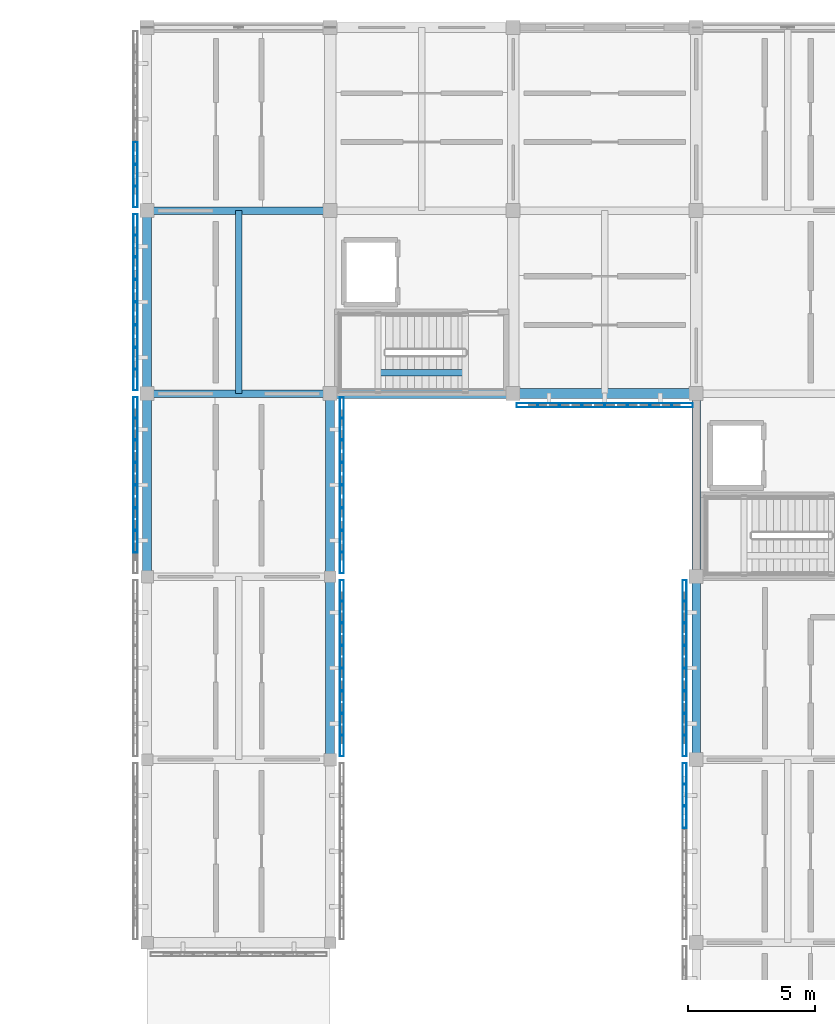
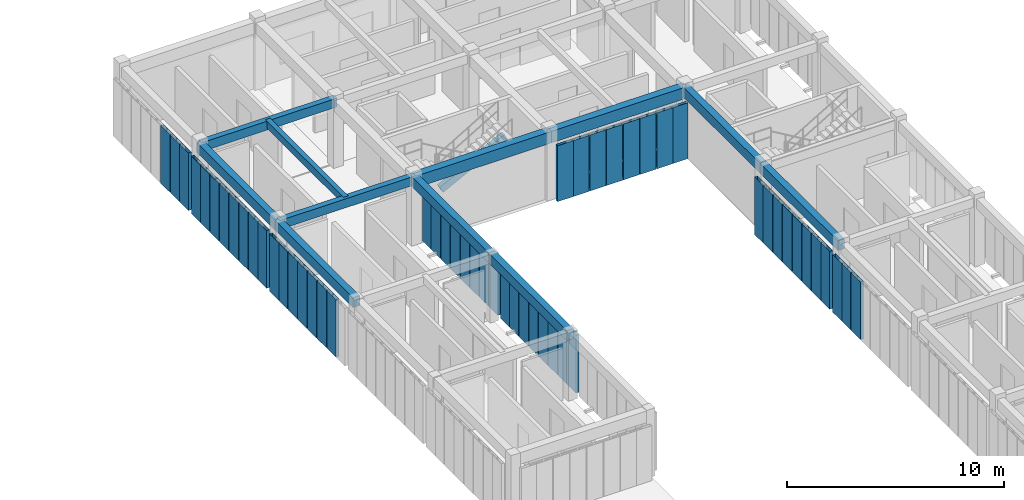
# One storey, part 11 of 67: 53 members, 12 beams, 8 elements without a shape of their own.
"""IFC4 building model written with IfcOpenShell, lengths in metres."""

from ifc_helpers import new_model, si_unit, direction, frame, origin, origin_2d, place, context, subcontext, project, spatial, rectangle, hollow_rectangle, extrude, material, material_profile, profile_set, type_object, element, aggregate, save


model = new_model("IFC4")

# Units and contexts
model_context = context("Model", 3, precision=1e-05, world=origin(), true_north=direction((0.0, 1.0)))
body_context = subcontext(model_context, "Body", "Model", "MODEL_VIEW")
ifc_project = project(units=[si_unit("LENGTHUNIT", "METRE"), si_unit("AREAUNIT", "SQUARE_METRE"), si_unit("VOLUMEUNIT", "CUBIC_METRE"), si_unit("PLANEANGLEUNIT", "RADIAN"), si_unit("MASSUNIT", "GRAM", prefix="KILO")], contexts=[model_context])

# Site, building, storey
site_placement = place(None, origin())
site = spatial("IfcSite", under=ifc_project, at=site_placement, CompositionType="ELEMENT")
building_placement = place(site_placement, origin())
building = spatial("IfcBuilding", under=site, at=building_placement, Name="Aldebral Square Health Centre", CompositionType="ELEMENT")
storey_placement = place(building_placement, frame((0.0, 0.0, 13.5)))
storey = spatial("IfcBuildingStorey", under=building, at=storey_placement, Name="L03", CompositionType="ELEMENT", Elevation=13.5)

# Beams
ifc_material_1 = material(Name="Concrete C40/50", Category="concrete")
ifc_material_profile_1 = material_profile(ifc_material_1, rectangle(XDim=0.39990234375, YDim=0.64990234375, at=origin_2d()), Name="RC 400x650")
ifc_profile_set_1 = profile_set([ifc_material_profile_1], Name="Concrete C40/50")
beam_type_1 = type_object("IfcBeamType", Name="BM-B1", PredefinedType="BEAM", material=ifc_profile_set_1)
for number, where, z_axis, x_axis, name in (
    (1, (144.0, 100.800048828125, 3.465087890625), (1.0, 0.0, 0.0), (0.0, 1.0, 0.0), "L03 X-beam 21-22/G15"),
    (2, (151.199951171875, 100.800048828125, 3.465087890625), (1.0, 0.0, 0.0), (0.0, 1.0, 0.0), "L03 X-beam 22-23/G15"),
):
    element("IfcBeam", number, at=place(storey_placement, frame(where, z_axis=z_axis, x_axis=x_axis)), inside=storey, type_object=beam_type_1, Name=name, PredefinedType="BEAM", context=body_context, shape_type="SweptSolid", body=[
        extrude(rectangle(XDim=0.39990234375, YDim=0.64990234375, at=origin_2d()), origin(), (0.0, 0.0, 1.0), 7.199951171875),
    ])
ifc_material_profile_2 = material_profile(ifc_material_1, rectangle(XDim=0.35009765625, YDim=0.550048828125, at=origin_2d()), Name="RC 350x550")
ifc_profile_set_2 = profile_set([ifc_material_profile_2], Name="Concrete C40/50")
beam_type_2 = type_object("IfcBeamType", Name="BM-B3", PredefinedType="BEAM", material=ifc_profile_set_2)
for number, where, z_axis, x_axis, name in (
    (3, (136.800048828125, 93.60009765625, 3.514892578125), (0.0, 1.0, 0.0), (-1.0, 0.0, 0.0), "L03 Y-beam G20/14-15"),
    (4, (136.800048828125, 100.800048828125, 3.514892578125), (0.0, 1.0, 0.0), (-1.0, 0.0, 0.0), "L03 Y-beam G20/15-16"),
):
    element("IfcBeam", number, at=place(storey_placement, frame(where, z_axis=z_axis, x_axis=x_axis)), inside=storey, type_object=beam_type_2, Name=name, PredefinedType="BEAM", context=body_context, shape_type="SweptSolid", body=[
        extrude(rectangle(XDim=0.35009765625, YDim=0.550048828125, at=origin_2d()), origin(), (0.0, 0.0, 1.0), 7.199951171875),
    ])
beam_1_placement = place(storey_placement, frame((144.0, 86.39990234375, 3.514892578125), z_axis=(0.0, 1.0, 0.0), x_axis=(-1.0, 0.0, 0.0)))
element("IfcBeam", 5, at=beam_1_placement, inside=storey, type_object=beam_type_2, Name="L03 Y-beam G21/13-14", PredefinedType="BEAM", context=body_context, shape_type="SweptSolid", body=[
    extrude(rectangle(XDim=0.35009765625, YDim=0.550048828125, at=origin_2d()), origin(), (0.0, 0.0, 1.0), 7.2001953125),
])
beam_2_placement = place(storey_placement, frame((144.0, 93.60009765625, 3.514892578125), z_axis=(0.0, 1.0, 0.0), x_axis=(-1.0, 0.0, 0.0)))
element("IfcBeam", 6, at=beam_2_placement, inside=storey, type_object=beam_type_2, Name="L03 Y-beam G21/14-15", PredefinedType="BEAM", context=body_context, shape_type="SweptSolid", body=[
    extrude(rectangle(XDim=0.35009765625, YDim=0.550048828125, at=origin_2d()), origin(), (0.0, 0.0, 1.0), 7.199951171875),
])
beam_3_placement = place(storey_placement, frame((158.39990234375, 86.39990234375, 3.514892578125), z_axis=(0.0, 1.0, 0.0), x_axis=(-1.0, 0.0, 0.0)))
element("IfcBeam", 7, at=beam_3_placement, inside=storey, type_object=beam_type_2, Name="L03 Y-beam G23/13-14", PredefinedType="BEAM", context=body_context, shape_type="SweptSolid", body=[
    extrude(rectangle(XDim=0.35009765625, YDim=0.550048828125, at=origin_2d()), origin(), (0.0, 0.0, 1.0), 7.2001953125),
])
beam_4_placement = place(storey_placement, frame((158.39990234375, 93.60009765625, 3.514892578125), z_axis=(0.0, 1.0, 0.0), x_axis=(-1.0, 0.0, 0.0)))
element("IfcBeam", 8, at=beam_4_placement, inside=storey, type_object=beam_type_2, Name="L03 Y-beam G23/14-15", PredefinedType="BEAM", context=body_context, shape_type="SweptSolid", body=[
    extrude(rectangle(XDim=0.35009765625, YDim=0.550048828125, at=origin_2d()), origin(), (0.0, 0.0, 1.0), 7.199951171875),
])
ifc_material_profile_3 = material_profile(ifc_material_1, rectangle(XDim=0.300048828125, YDim=0.5, at=origin_2d()), Name="RC 300x500")
ifc_profile_set_3 = profile_set([ifc_material_profile_3], Name="Concrete C40/50")
beam_type_3 = type_object("IfcBeamType", Name="BM-B4", PredefinedType="BEAM", material=ifc_profile_set_3)
for number, where, z_axis, x_axis, name in (
    (9, (136.800048828125, 100.800048828125, 3.5400390625), (1.0, 0.0, 0.0), (0.0, 1.0, 0.0), "L03 X-beam 20-21/G15"),
    (10, (136.800048828125, 108.0, 3.5400390625), (1.0, 0.0, 0.0), (0.0, 1.0, 0.0), "L03 X-beam 20-21/G16"),
):
    element("IfcBeam", number, at=place(storey_placement, frame(where, z_axis=z_axis, x_axis=x_axis)), inside=storey, type_object=beam_type_3, Name=name, PredefinedType="BEAM", context=body_context, shape_type="SweptSolid", body=[
        extrude(rectangle(XDim=0.300048828125, YDim=0.5, at=origin_2d()), origin(), (0.0, 0.0, 1.0), 7.199951171875),
    ])
ifc_material_profile_4 = material_profile(ifc_material_1, rectangle(XDim=0.25, YDim=0.39990234375, at=origin_2d()), Name="RC 250x400")
ifc_profile_set_4 = profile_set([ifc_material_profile_4], Name="Concrete C40/50")
beam_type_4 = type_object("IfcBeamType", Name="BM-B6", PredefinedType="JOIST", material=ifc_profile_set_4)
beam_5_placement = place(storey_placement, frame((140.39990234375, 100.800048828125, 3.590087890625), z_axis=(0.0, 1.0, 0.0), x_axis=(-1.0, 0.0, 0.0)))
element("IfcBeam", 11, at=beam_5_placement, inside=storey, type_object=beam_type_4, Name="L03 secondary rib 20.15", PredefinedType="JOIST", context=body_context, shape_type="SweptSolid", body=[
    extrude(rectangle(XDim=0.25, YDim=0.39990234375, at=origin_2d()), origin(), (0.0, 0.0, 1.0), 7.199951171875),
])
beam_6_placement = place(storey_placement, frame((145.8798828125, 101.6201171875, 1.824951171875), z_axis=(0.889718835693, 0.0, 0.456508919314), x_axis=(0.0, 1.0, 0.0)))
element("IfcBeam", 12, at=beam_6_placement, inside=storey, type_object=beam_type_4, Name="L03 WC-C4 flight stringer beam", PredefinedType="JOIST", context=body_context, shape_type="SweptSolid", body=[
    extrude(rectangle(XDim=0.25, YDim=0.39990234375, at=origin_2d()), origin(), (0.0, 0.0, 1.0), 3.86669921875),
])

# Curtain wall, members
ifc_material_2 = material(Name="Aluminium and low-E solar glass", Category="aluminium")
curtain_wall_type = type_object("IfcCurtainWallType", Name="CW-FIN-SYS", PredefinedType="USERDEFINED", material=ifc_material_2)
curtain_wall_1_placement = place(storey_placement, origin())
curtain_wall_1 = element("IfcCurtainWall", 13, at=curtain_wall_1_placement, inside=storey, type_object=curtain_wall_type, Name="L03 V5 finned curtain wall L03-V5-19-12-E", ObjectType="SOLAR_CURTAIN_WALL", PredefinedType="USERDEFINED")
ifc_material_3 = material(Name="Sienna-terracotta clad aluminium fin", Category="masonry")
ifc_material_profile_5 = material_profile(ifc_material_3, hollow_rectangle(XDim=0.159912109375, YDim=0.85009765625, WallThickness=0.006103515625, at=origin_2d()), Name="FIN 160x850x6")
ifc_profile_set_5 = profile_set([ifc_material_profile_5], Name="Sienna-terracotta clad aluminium fin")
member_type = type_object("IfcMemberType", Name="CWM-FIN", PredefinedType="MULLION", material=ifc_profile_set_5)
member_1_placement = place(storey_placement, frame((144.4599609375, 86.9599609375, 0.0), z_axis=(0.0, 0.0, 1.0), x_axis=(-1.0, 0.0, 0.0)))
member_1 = element("IfcMember", 14, at=member_1_placement, type_object=member_type, Name="CW1 mullion 1", PredefinedType="MULLION", context=body_context, shape_type="SweptSolid", body=[
    extrude(hollow_rectangle(XDim=0.159912109375, YDim=0.85009765625, WallThickness=0.006103515625, at=origin_2d()), origin(), (0.0, 0.0, 1.0), 3.239990234375),
])
member_2_placement = place(storey_placement, frame((144.4599609375, 87.771484375, 0.0), z_axis=(0.0, 0.0, 1.0), x_axis=(-1.0, 0.0, 0.0)))
member_2 = element("IfcMember", 15, at=member_2_placement, type_object=member_type, Name="CW1 mullion 2", PredefinedType="MULLION", context=body_context, shape_type="SweptSolid", body=[
    extrude(hollow_rectangle(XDim=0.159912109375, YDim=0.85009765625, WallThickness=0.006103515625, at=origin_2d()), origin(), (0.0, 0.0, 1.0), 3.239990234375),
])
member_3_placement = place(storey_placement, frame((144.4599609375, 88.662841796875, 0.0), z_axis=(0.0, 0.0, 1.0), x_axis=(-1.0, 0.0, 0.0)))
member_3 = element("IfcMember", 16, at=member_3_placement, type_object=member_type, Name="CW1 mullion 3", PredefinedType="MULLION", context=body_context, shape_type="SweptSolid", body=[
    extrude(hollow_rectangle(XDim=0.159912109375, YDim=0.85009765625, WallThickness=0.006103515625, at=origin_2d()), origin(), (0.0, 0.0, 1.0), 3.239990234375),
])
member_4_placement = place(storey_placement, frame((144.4599609375, 89.55419921875, 0.0), z_axis=(0.0, 0.0, 1.0), x_axis=(-1.0, 0.0, 0.0)))
member_4 = element("IfcMember", 17, at=member_4_placement, type_object=member_type, Name="CW1 mullion 4", PredefinedType="MULLION", context=body_context, shape_type="SweptSolid", body=[
    extrude(hollow_rectangle(XDim=0.159912109375, YDim=0.85009765625, WallThickness=0.006103515625, at=origin_2d()), origin(), (0.0, 0.0, 1.0), 3.239990234375),
])
member_5_placement = place(storey_placement, frame((144.4599609375, 90.44580078125, 0.0), z_axis=(0.0, 0.0, 1.0), x_axis=(-1.0, 0.0, 0.0)))
member_5 = element("IfcMember", 18, at=member_5_placement, type_object=member_type, Name="CW1 mullion 5", PredefinedType="MULLION", context=body_context, shape_type="SweptSolid", body=[
    extrude(hollow_rectangle(XDim=0.159912109375, YDim=0.85009765625, WallThickness=0.006103515625, at=origin_2d()), origin(), (0.0, 0.0, 1.0), 3.239990234375),
])
member_6_placement = place(storey_placement, frame((144.4599609375, 91.337158203125, 0.0), z_axis=(0.0, 0.0, 1.0), x_axis=(-1.0, 0.0, 0.0)))
member_6 = element("IfcMember", 19, at=member_6_placement, type_object=member_type, Name="CW1 mullion 6", PredefinedType="MULLION", context=body_context, shape_type="SweptSolid", body=[
    extrude(hollow_rectangle(XDim=0.159912109375, YDim=0.85009765625, WallThickness=0.006103515625, at=origin_2d()), origin(), (0.0, 0.0, 1.0), 3.239990234375),
])
member_7_placement = place(storey_placement, frame((144.4599609375, 92.228515625, 0.0), z_axis=(0.0, 0.0, 1.0), x_axis=(-1.0, 0.0, 0.0)))
member_7 = element("IfcMember", 20, at=member_7_placement, type_object=member_type, Name="CW1 mullion 7", PredefinedType="MULLION", context=body_context, shape_type="SweptSolid", body=[
    extrude(hollow_rectangle(XDim=0.159912109375, YDim=0.85009765625, WallThickness=0.006103515625, at=origin_2d()), origin(), (0.0, 0.0, 1.0), 3.239990234375),
])
member_8_placement = place(storey_placement, frame((144.4599609375, 93.0400390625, 0.0), z_axis=(0.0, 0.0, 1.0), x_axis=(-1.0, 0.0, 0.0)))
member_8 = element("IfcMember", 21, at=member_8_placement, type_object=member_type, Name="CW1 mullion 8", PredefinedType="MULLION", context=body_context, shape_type="SweptSolid", body=[
    extrude(hollow_rectangle(XDim=0.159912109375, YDim=0.85009765625, WallThickness=0.006103515625, at=origin_2d()), origin(), (0.0, 0.0, 1.0), 3.239990234375),
])
aggregate(curtain_wall_1, [member_1, member_2, member_3, member_4, member_5, member_6, member_7, member_8])

curtain_wall_2_placement = place(storey_placement, origin())
curtain_wall_2 = element("IfcCurtainWall", 22, at=curtain_wall_2_placement, inside=storey, type_object=curtain_wall_type, Name="L03 V5 finned curtain wall L03-V5-19-13-W", ObjectType="SOLAR_CURTAIN_WALL", PredefinedType="USERDEFINED")
member_9_placement = place(storey_placement, frame((136.340087890625, 100.239990234375, 0.0), z_axis=(0.0, 0.0, 1.0), x_axis=(1.0, 0.0, 0.0)))
member_9 = element("IfcMember", 23, at=member_9_placement, type_object=member_type, Name="CW1 mullion 1", PredefinedType="MULLION", context=body_context, shape_type="SweptSolid", body=[
    extrude(hollow_rectangle(XDim=0.159912109375, YDim=0.85009765625, WallThickness=0.006103515625, at=origin_2d()), origin(), (0.0, 0.0, 1.0), 3.239990234375),
])
member_10_placement = place(storey_placement, frame((136.340087890625, 99.428466796875, 0.0), z_axis=(0.0, 0.0, 1.0), x_axis=(1.0, 0.0, 0.0)))
member_10 = element("IfcMember", 24, at=member_10_placement, type_object=member_type, Name="CW1 mullion 2", PredefinedType="MULLION", context=body_context, shape_type="SweptSolid", body=[
    extrude(hollow_rectangle(XDim=0.159912109375, YDim=0.85009765625, WallThickness=0.006103515625, at=origin_2d()), origin(), (0.0, 0.0, 1.0), 3.239990234375),
])
member_11_placement = place(storey_placement, frame((136.340087890625, 98.537109375, 0.0), z_axis=(0.0, 0.0, 1.0), x_axis=(1.0, 0.0, 0.0)))
member_11 = element("IfcMember", 25, at=member_11_placement, type_object=member_type, Name="CW1 mullion 3", PredefinedType="MULLION", context=body_context, shape_type="SweptSolid", body=[
    extrude(hollow_rectangle(XDim=0.159912109375, YDim=0.85009765625, WallThickness=0.006103515625, at=origin_2d()), origin(), (0.0, 0.0, 1.0), 3.239990234375),
])
member_12_placement = place(storey_placement, frame((136.340087890625, 97.645751953125, 0.0), z_axis=(0.0, 0.0, 1.0), x_axis=(1.0, 0.0, 0.0)))
member_12 = element("IfcMember", 26, at=member_12_placement, type_object=member_type, Name="CW1 mullion 4", PredefinedType="MULLION", context=body_context, shape_type="SweptSolid", body=[
    extrude(hollow_rectangle(XDim=0.159912109375, YDim=0.85009765625, WallThickness=0.006103515625, at=origin_2d()), origin(), (0.0, 0.0, 1.0), 3.239990234375),
])
member_13_placement = place(storey_placement, frame((136.340087890625, 96.75439453125, 0.0), z_axis=(0.0, 0.0, 1.0), x_axis=(1.0, 0.0, 0.0)))
member_13 = element("IfcMember", 27, at=member_13_placement, type_object=member_type, Name="CW1 mullion 5", PredefinedType="MULLION", context=body_context, shape_type="SweptSolid", body=[
    extrude(hollow_rectangle(XDim=0.159912109375, YDim=0.85009765625, WallThickness=0.006103515625, at=origin_2d()), origin(), (0.0, 0.0, 1.0), 3.239990234375),
])
member_14_placement = place(storey_placement, frame((136.340087890625, 95.86279296875, 0.0), z_axis=(0.0, 0.0, 1.0), x_axis=(1.0, 0.0, 0.0)))
member_14 = element("IfcMember", 28, at=member_14_placement, type_object=member_type, Name="CW1 mullion 6", PredefinedType="MULLION", context=body_context, shape_type="SweptSolid", body=[
    extrude(hollow_rectangle(XDim=0.159912109375, YDim=0.85009765625, WallThickness=0.006103515625, at=origin_2d()), origin(), (0.0, 0.0, 1.0), 3.239990234375),
])
member_15_placement = place(storey_placement, frame((136.340087890625, 94.971435546875, 0.0), z_axis=(0.0, 0.0, 1.0), x_axis=(1.0, 0.0, 0.0)))
member_15 = element("IfcMember", 29, at=member_15_placement, type_object=member_type, Name="CW1 mullion 7", PredefinedType="MULLION", context=body_context, shape_type="SweptSolid", body=[
    extrude(hollow_rectangle(XDim=0.159912109375, YDim=0.85009765625, WallThickness=0.006103515625, at=origin_2d()), origin(), (0.0, 0.0, 1.0), 3.239990234375),
])
aggregate(curtain_wall_2, [member_9, member_10, member_11, member_12, member_13, member_14, member_15])

curtain_wall_3_placement = place(storey_placement, origin())
curtain_wall_3 = element("IfcCurtainWall", 30, at=curtain_wall_3_placement, inside=storey, type_object=curtain_wall_type, Name="L03 V5 finned curtain wall L03-V5-19-13-E", ObjectType="SOLAR_CURTAIN_WALL", PredefinedType="USERDEFINED")
member_16_placement = place(storey_placement, frame((144.4599609375, 94.159912109375, 0.0), z_axis=(0.0, 0.0, 1.0), x_axis=(-1.0, 0.0, 0.0)))
member_16 = element("IfcMember", 31, at=member_16_placement, type_object=member_type, Name="CW1 mullion 1", PredefinedType="MULLION", context=body_context, shape_type="SweptSolid", body=[
    extrude(hollow_rectangle(XDim=0.159912109375, YDim=0.85009765625, WallThickness=0.006103515625, at=origin_2d()), origin(), (0.0, 0.0, 1.0), 3.239990234375),
])
member_17_placement = place(storey_placement, frame((144.4599609375, 94.971435546875, 0.0), z_axis=(0.0, 0.0, 1.0), x_axis=(-1.0, 0.0, 0.0)))
member_17 = element("IfcMember", 32, at=member_17_placement, type_object=member_type, Name="CW1 mullion 2", PredefinedType="MULLION", context=body_context, shape_type="SweptSolid", body=[
    extrude(hollow_rectangle(XDim=0.159912109375, YDim=0.85009765625, WallThickness=0.006103515625, at=origin_2d()), origin(), (0.0, 0.0, 1.0), 3.239990234375),
])
member_18_placement = place(storey_placement, frame((144.4599609375, 95.86279296875, 0.0), z_axis=(0.0, 0.0, 1.0), x_axis=(-1.0, 0.0, 0.0)))
member_18 = element("IfcMember", 33, at=member_18_placement, type_object=member_type, Name="CW1 mullion 3", PredefinedType="MULLION", context=body_context, shape_type="SweptSolid", body=[
    extrude(hollow_rectangle(XDim=0.159912109375, YDim=0.85009765625, WallThickness=0.006103515625, at=origin_2d()), origin(), (0.0, 0.0, 1.0), 3.239990234375),
])
member_19_placement = place(storey_placement, frame((144.4599609375, 96.75439453125, 0.0), z_axis=(0.0, 0.0, 1.0), x_axis=(-1.0, 0.0, 0.0)))
member_19 = element("IfcMember", 34, at=member_19_placement, type_object=member_type, Name="CW1 mullion 4", PredefinedType="MULLION", context=body_context, shape_type="SweptSolid", body=[
    extrude(hollow_rectangle(XDim=0.159912109375, YDim=0.85009765625, WallThickness=0.006103515625, at=origin_2d()), origin(), (0.0, 0.0, 1.0), 3.239990234375),
])
member_20_placement = place(storey_placement, frame((144.4599609375, 97.645751953125, 0.0), z_axis=(0.0, 0.0, 1.0), x_axis=(-1.0, 0.0, 0.0)))
member_20 = element("IfcMember", 35, at=member_20_placement, type_object=member_type, Name="CW1 mullion 5", PredefinedType="MULLION", context=body_context, shape_type="SweptSolid", body=[
    extrude(hollow_rectangle(XDim=0.159912109375, YDim=0.85009765625, WallThickness=0.006103515625, at=origin_2d()), origin(), (0.0, 0.0, 1.0), 3.239990234375),
])
member_21_placement = place(storey_placement, frame((144.4599609375, 98.537109375, 0.0), z_axis=(0.0, 0.0, 1.0), x_axis=(-1.0, 0.0, 0.0)))
member_21 = element("IfcMember", 36, at=member_21_placement, type_object=member_type, Name="CW1 mullion 6", PredefinedType="MULLION", context=body_context, shape_type="SweptSolid", body=[
    extrude(hollow_rectangle(XDim=0.159912109375, YDim=0.85009765625, WallThickness=0.006103515625, at=origin_2d()), origin(), (0.0, 0.0, 1.0), 3.239990234375),
])
member_22_placement = place(storey_placement, frame((144.4599609375, 99.428466796875, 0.0), z_axis=(0.0, 0.0, 1.0), x_axis=(-1.0, 0.0, 0.0)))
member_22 = element("IfcMember", 37, at=member_22_placement, type_object=member_type, Name="CW1 mullion 7", PredefinedType="MULLION", context=body_context, shape_type="SweptSolid", body=[
    extrude(hollow_rectangle(XDim=0.159912109375, YDim=0.85009765625, WallThickness=0.006103515625, at=origin_2d()), origin(), (0.0, 0.0, 1.0), 3.239990234375),
])
member_23_placement = place(storey_placement, frame((144.4599609375, 100.239990234375, 0.0), z_axis=(0.0, 0.0, 1.0), x_axis=(-1.0, 0.0, 0.0)))
member_23 = element("IfcMember", 38, at=member_23_placement, type_object=member_type, Name="CW1 mullion 8", PredefinedType="MULLION", context=body_context, shape_type="SweptSolid", body=[
    extrude(hollow_rectangle(XDim=0.159912109375, YDim=0.85009765625, WallThickness=0.006103515625, at=origin_2d()), origin(), (0.0, 0.0, 1.0), 3.239990234375),
])
aggregate(curtain_wall_3, [member_16, member_17, member_18, member_19, member_20, member_21, member_22, member_23])

curtain_wall_4_placement = place(storey_placement, origin())
curtain_wall_4 = element("IfcCurtainWall", 39, at=curtain_wall_4_placement, inside=storey, type_object=curtain_wall_type, Name="L03 V5 finned curtain wall L03-V5-19-14-W", ObjectType="SOLAR_CURTAIN_WALL", PredefinedType="USERDEFINED")
member_24_placement = place(storey_placement, frame((136.340087890625, 107.43994140625, 0.0), z_axis=(0.0, 0.0, 1.0), x_axis=(1.0, 0.0, 0.0)))
member_24 = element("IfcMember", 40, at=member_24_placement, type_object=member_type, Name="CW1 mullion 1", PredefinedType="MULLION", context=body_context, shape_type="SweptSolid", body=[
    extrude(hollow_rectangle(XDim=0.159912109375, YDim=0.85009765625, WallThickness=0.006103515625, at=origin_2d()), origin(), (0.0, 0.0, 1.0), 3.239990234375),
])
member_25_placement = place(storey_placement, frame((136.340087890625, 106.628662109375, 0.0), z_axis=(0.0, 0.0, 1.0), x_axis=(1.0, 0.0, 0.0)))
member_25 = element("IfcMember", 41, at=member_25_placement, type_object=member_type, Name="CW1 mullion 2", PredefinedType="MULLION", context=body_context, shape_type="SweptSolid", body=[
    extrude(hollow_rectangle(XDim=0.159912109375, YDim=0.85009765625, WallThickness=0.006103515625, at=origin_2d()), origin(), (0.0, 0.0, 1.0), 3.239990234375),
])
member_26_placement = place(storey_placement, frame((136.340087890625, 105.737060546875, 0.0), z_axis=(0.0, 0.0, 1.0), x_axis=(1.0, 0.0, 0.0)))
member_26 = element("IfcMember", 42, at=member_26_placement, type_object=member_type, Name="CW1 mullion 3", PredefinedType="MULLION", context=body_context, shape_type="SweptSolid", body=[
    extrude(hollow_rectangle(XDim=0.159912109375, YDim=0.85009765625, WallThickness=0.006103515625, at=origin_2d()), origin(), (0.0, 0.0, 1.0), 3.239990234375),
])
member_27_placement = place(storey_placement, frame((136.340087890625, 104.845703125, 0.0), z_axis=(0.0, 0.0, 1.0), x_axis=(1.0, 0.0, 0.0)))
member_27 = element("IfcMember", 43, at=member_27_placement, type_object=member_type, Name="CW1 mullion 4", PredefinedType="MULLION", context=body_context, shape_type="SweptSolid", body=[
    extrude(hollow_rectangle(XDim=0.159912109375, YDim=0.85009765625, WallThickness=0.006103515625, at=origin_2d()), origin(), (0.0, 0.0, 1.0), 3.239990234375),
])
member_28_placement = place(storey_placement, frame((136.340087890625, 103.954345703125, 0.0), z_axis=(0.0, 0.0, 1.0), x_axis=(1.0, 0.0, 0.0)))
member_28 = element("IfcMember", 44, at=member_28_placement, type_object=member_type, Name="CW1 mullion 5", PredefinedType="MULLION", context=body_context, shape_type="SweptSolid", body=[
    extrude(hollow_rectangle(XDim=0.159912109375, YDim=0.85009765625, WallThickness=0.006103515625, at=origin_2d()), origin(), (0.0, 0.0, 1.0), 3.239990234375),
])
member_29_placement = place(storey_placement, frame((136.340087890625, 103.062744140625, 0.0), z_axis=(0.0, 0.0, 1.0), x_axis=(1.0, 0.0, 0.0)))
member_29 = element("IfcMember", 45, at=member_29_placement, type_object=member_type, Name="CW1 mullion 6", PredefinedType="MULLION", context=body_context, shape_type="SweptSolid", body=[
    extrude(hollow_rectangle(XDim=0.159912109375, YDim=0.85009765625, WallThickness=0.006103515625, at=origin_2d()), origin(), (0.0, 0.0, 1.0), 3.239990234375),
])
member_30_placement = place(storey_placement, frame((136.340087890625, 102.17138671875, 0.0), z_axis=(0.0, 0.0, 1.0), x_axis=(1.0, 0.0, 0.0)))
member_30 = element("IfcMember", 46, at=member_30_placement, type_object=member_type, Name="CW1 mullion 7", PredefinedType="MULLION", context=body_context, shape_type="SweptSolid", body=[
    extrude(hollow_rectangle(XDim=0.159912109375, YDim=0.85009765625, WallThickness=0.006103515625, at=origin_2d()), origin(), (0.0, 0.0, 1.0), 3.239990234375),
])
member_31_placement = place(storey_placement, frame((136.340087890625, 101.360107421875, 0.0), z_axis=(0.0, 0.0, 1.0), x_axis=(1.0, 0.0, 0.0)))
member_31 = element("IfcMember", 47, at=member_31_placement, type_object=member_type, Name="CW1 mullion 8", PredefinedType="MULLION", context=body_context, shape_type="SweptSolid", body=[
    extrude(hollow_rectangle(XDim=0.159912109375, YDim=0.85009765625, WallThickness=0.006103515625, at=origin_2d()), origin(), (0.0, 0.0, 1.0), 3.239990234375),
])
aggregate(curtain_wall_4, [member_24, member_25, member_26, member_27, member_28, member_29, member_30, member_31])

curtain_wall_5_placement = place(storey_placement, origin())
curtain_wall_5 = element("IfcCurtainWall", 48, at=curtain_wall_5_placement, inside=storey, type_object=curtain_wall_type, Name="L03 V5 finned curtain wall L03-V5-19-15-W", ObjectType="SOLAR_CURTAIN_WALL", PredefinedType="USERDEFINED")
member_32_placement = place(storey_placement, frame((136.340087890625, 110.262939453125, 0.0), z_axis=(0.0, 0.0, 1.0), x_axis=(1.0, 0.0, 0.0)))
member_32 = element("IfcMember", 49, at=member_32_placement, type_object=member_type, Name="CW1 mullion 6", PredefinedType="MULLION", context=body_context, shape_type="SweptSolid", body=[
    extrude(hollow_rectangle(XDim=0.159912109375, YDim=0.85009765625, WallThickness=0.006103515625, at=origin_2d()), origin(), (0.0, 0.0, 1.0), 3.239990234375),
])
member_33_placement = place(storey_placement, frame((136.340087890625, 109.371337890625, 0.0), z_axis=(0.0, 0.0, 1.0), x_axis=(1.0, 0.0, 0.0)))
member_33 = element("IfcMember", 50, at=member_33_placement, type_object=member_type, Name="CW1 mullion 7", PredefinedType="MULLION", context=body_context, shape_type="SweptSolid", body=[
    extrude(hollow_rectangle(XDim=0.159912109375, YDim=0.85009765625, WallThickness=0.006103515625, at=origin_2d()), origin(), (0.0, 0.0, 1.0), 3.239990234375),
])
member_34_placement = place(storey_placement, frame((136.340087890625, 108.56005859375, 0.0), z_axis=(0.0, 0.0, 1.0), x_axis=(1.0, 0.0, 0.0)))
member_34 = element("IfcMember", 51, at=member_34_placement, type_object=member_type, Name="CW1 mullion 8", PredefinedType="MULLION", context=body_context, shape_type="SweptSolid", body=[
    extrude(hollow_rectangle(XDim=0.159912109375, YDim=0.85009765625, WallThickness=0.006103515625, at=origin_2d()), origin(), (0.0, 0.0, 1.0), 3.239990234375),
])
aggregate(curtain_wall_5, [member_32, member_33, member_34])

curtain_wall_6_placement = place(storey_placement, origin())
curtain_wall_6 = element("IfcCurtainWall", 52, at=curtain_wall_6_placement, inside=storey, type_object=curtain_wall_type, Name="L03 V5 finned curtain wall L03-V5-21-14-S", ObjectType="SOLAR_CURTAIN_WALL", PredefinedType="USERDEFINED")
member_35_placement = place(storey_placement, frame((151.760009765625, 100.340087890625, 0.0), z_axis=(0.0, 0.0, 1.0), x_axis=(0.0, 1.0, 0.0)))
member_35 = element("IfcMember", 53, at=member_35_placement, type_object=member_type, Name="CW1 mullion 1", PredefinedType="MULLION", context=body_context, shape_type="SweptSolid", body=[
    extrude(hollow_rectangle(XDim=0.159912109375, YDim=0.85009765625, WallThickness=0.006103515625, at=origin_2d()), origin(), (0.0, 0.0, 1.0), 3.139892578125),
])
member_36_placement = place(storey_placement, frame((152.571533203125, 100.340087890625, 0.0), z_axis=(0.0, 0.0, 1.0), x_axis=(0.0, 1.0, 0.0)))
member_36 = element("IfcMember", 54, at=member_36_placement, type_object=member_type, Name="CW1 mullion 2", PredefinedType="MULLION", context=body_context, shape_type="SweptSolid", body=[
    extrude(hollow_rectangle(XDim=0.159912109375, YDim=0.85009765625, WallThickness=0.006103515625, at=origin_2d()), origin(), (0.0, 0.0, 1.0), 3.139892578125),
])
member_37_placement = place(storey_placement, frame((153.462890625, 100.340087890625, 0.0), z_axis=(0.0, 0.0, 1.0), x_axis=(0.0, 1.0, 0.0)))
member_37 = element("IfcMember", 55, at=member_37_placement, type_object=member_type, Name="CW1 mullion 3", PredefinedType="MULLION", context=body_context, shape_type="SweptSolid", body=[
    extrude(hollow_rectangle(XDim=0.159912109375, YDim=0.85009765625, WallThickness=0.006103515625, at=origin_2d()), origin(), (0.0, 0.0, 1.0), 3.139892578125),
])
member_38_placement = place(storey_placement, frame((154.354248046875, 100.340087890625, 0.0), z_axis=(0.0, 0.0, 1.0), x_axis=(0.0, 1.0, 0.0)))
member_38 = element("IfcMember", 56, at=member_38_placement, type_object=member_type, Name="CW1 mullion 4", PredefinedType="MULLION", context=body_context, shape_type="SweptSolid", body=[
    extrude(hollow_rectangle(XDim=0.159912109375, YDim=0.85009765625, WallThickness=0.006103515625, at=origin_2d()), origin(), (0.0, 0.0, 1.0), 3.139892578125),
])
member_39_placement = place(storey_placement, frame((155.24560546875, 100.340087890625, 0.0), z_axis=(0.0, 0.0, 1.0), x_axis=(0.0, 1.0, 0.0)))
member_39 = element("IfcMember", 57, at=member_39_placement, type_object=member_type, Name="CW1 mullion 5", PredefinedType="MULLION", context=body_context, shape_type="SweptSolid", body=[
    extrude(hollow_rectangle(XDim=0.159912109375, YDim=0.85009765625, WallThickness=0.006103515625, at=origin_2d()), origin(), (0.0, 0.0, 1.0), 3.139892578125),
])
member_40_placement = place(storey_placement, frame((156.13720703125, 100.340087890625, 0.0), z_axis=(0.0, 0.0, 1.0), x_axis=(0.0, 1.0, 0.0)))
member_40 = element("IfcMember", 58, at=member_40_placement, type_object=member_type, Name="CW1 mullion 6", PredefinedType="MULLION", context=body_context, shape_type="SweptSolid", body=[
    extrude(hollow_rectangle(XDim=0.159912109375, YDim=0.85009765625, WallThickness=0.006103515625, at=origin_2d()), origin(), (0.0, 0.0, 1.0), 3.139892578125),
])
member_41_placement = place(storey_placement, frame((157.028564453125, 100.340087890625, 0.0), z_axis=(0.0, 0.0, 1.0), x_axis=(0.0, 1.0, 0.0)))
member_41 = element("IfcMember", 59, at=member_41_placement, type_object=member_type, Name="CW1 mullion 7", PredefinedType="MULLION", context=body_context, shape_type="SweptSolid", body=[
    extrude(hollow_rectangle(XDim=0.159912109375, YDim=0.85009765625, WallThickness=0.006103515625, at=origin_2d()), origin(), (0.0, 0.0, 1.0), 3.139892578125),
])
member_42_placement = place(storey_placement, frame((157.840087890625, 100.340087890625, 0.0), z_axis=(0.0, 0.0, 1.0), x_axis=(0.0, 1.0, 0.0)))
member_42 = element("IfcMember", 60, at=member_42_placement, type_object=member_type, Name="CW1 mullion 8", PredefinedType="MULLION", context=body_context, shape_type="SweptSolid", body=[
    extrude(hollow_rectangle(XDim=0.159912109375, YDim=0.85009765625, WallThickness=0.006103515625, at=origin_2d()), origin(), (0.0, 0.0, 1.0), 3.139892578125),
])
aggregate(curtain_wall_6, [member_35, member_36, member_37, member_38, member_39, member_40, member_41, member_42])

curtain_wall_7_placement = place(storey_placement, origin())
curtain_wall_7 = element("IfcCurtainWall", 61, at=curtain_wall_7_placement, inside=storey, type_object=curtain_wall_type, Name="L03 V5 finned curtain wall L03-V5-22-11-W", ObjectType="SOLAR_CURTAIN_WALL", PredefinedType="USERDEFINED")
member_43_placement = place(storey_placement, frame((157.93994140625, 85.840087890625, 0.0), z_axis=(0.0, 0.0, 1.0), x_axis=(1.0, 0.0, 0.0)))
member_43 = element("IfcMember", 62, at=member_43_placement, type_object=member_type, Name="CW1 mullion 1", PredefinedType="MULLION", context=body_context, shape_type="SweptSolid", body=[
    extrude(hollow_rectangle(XDim=0.159912109375, YDim=0.85009765625, WallThickness=0.006103515625, at=origin_2d()), origin(), (0.0, 0.0, 1.0), 3.239990234375),
])
member_44_placement = place(storey_placement, frame((157.93994140625, 85.028564453125, 0.0), z_axis=(0.0, 0.0, 1.0), x_axis=(1.0, 0.0, 0.0)))
member_44 = element("IfcMember", 63, at=member_44_placement, type_object=member_type, Name="CW1 mullion 2", PredefinedType="MULLION", context=body_context, shape_type="SweptSolid", body=[
    extrude(hollow_rectangle(XDim=0.159912109375, YDim=0.85009765625, WallThickness=0.006103515625, at=origin_2d()), origin(), (0.0, 0.0, 1.0), 3.239990234375),
])
member_45_placement = place(storey_placement, frame((157.93994140625, 84.13720703125, 0.0), z_axis=(0.0, 0.0, 1.0), x_axis=(1.0, 0.0, 0.0)))
member_45 = element("IfcMember", 64, at=member_45_placement, type_object=member_type, Name="CW1 mullion 3", PredefinedType="MULLION", context=body_context, shape_type="SweptSolid", body=[
    extrude(hollow_rectangle(XDim=0.159912109375, YDim=0.85009765625, WallThickness=0.006103515625, at=origin_2d()), origin(), (0.0, 0.0, 1.0), 3.239990234375),
])
aggregate(curtain_wall_7, [member_43, member_44, member_45])

curtain_wall_8_placement = place(storey_placement, origin())
curtain_wall_8 = element("IfcCurtainWall", 65, at=curtain_wall_8_placement, inside=storey, type_object=curtain_wall_type, Name="L03 V5 finned curtain wall L03-V5-22-12-W", ObjectType="SOLAR_CURTAIN_WALL", PredefinedType="USERDEFINED")
member_46_placement = place(storey_placement, frame((157.93994140625, 93.0400390625, 0.0), z_axis=(0.0, 0.0, 1.0), x_axis=(1.0, 0.0, 0.0)))
member_46 = element("IfcMember", 66, at=member_46_placement, type_object=member_type, Name="CW1 mullion 1", PredefinedType="MULLION", context=body_context, shape_type="SweptSolid", body=[
    extrude(hollow_rectangle(XDim=0.159912109375, YDim=0.85009765625, WallThickness=0.006103515625, at=origin_2d()), origin(), (0.0, 0.0, 1.0), 3.239990234375),
])
member_47_placement = place(storey_placement, frame((157.93994140625, 92.228515625, 0.0), z_axis=(0.0, 0.0, 1.0), x_axis=(1.0, 0.0, 0.0)))
member_47 = element("IfcMember", 67, at=member_47_placement, type_object=member_type, Name="CW1 mullion 2", PredefinedType="MULLION", context=body_context, shape_type="SweptSolid", body=[
    extrude(hollow_rectangle(XDim=0.159912109375, YDim=0.85009765625, WallThickness=0.006103515625, at=origin_2d()), origin(), (0.0, 0.0, 1.0), 3.239990234375),
])
member_48_placement = place(storey_placement, frame((157.93994140625, 91.337158203125, 0.0), z_axis=(0.0, 0.0, 1.0), x_axis=(1.0, 0.0, 0.0)))
member_48 = element("IfcMember", 68, at=member_48_placement, type_object=member_type, Name="CW1 mullion 3", PredefinedType="MULLION", context=body_context, shape_type="SweptSolid", body=[
    extrude(hollow_rectangle(XDim=0.159912109375, YDim=0.85009765625, WallThickness=0.006103515625, at=origin_2d()), origin(), (0.0, 0.0, 1.0), 3.239990234375),
])
member_49_placement = place(storey_placement, frame((157.93994140625, 90.44580078125, 0.0), z_axis=(0.0, 0.0, 1.0), x_axis=(1.0, 0.0, 0.0)))
member_49 = element("IfcMember", 69, at=member_49_placement, type_object=member_type, Name="CW1 mullion 4", PredefinedType="MULLION", context=body_context, shape_type="SweptSolid", body=[
    extrude(hollow_rectangle(XDim=0.159912109375, YDim=0.85009765625, WallThickness=0.006103515625, at=origin_2d()), origin(), (0.0, 0.0, 1.0), 3.239990234375),
])
member_50_placement = place(storey_placement, frame((157.93994140625, 89.55419921875, 0.0), z_axis=(0.0, 0.0, 1.0), x_axis=(1.0, 0.0, 0.0)))
member_50 = element("IfcMember", 70, at=member_50_placement, type_object=member_type, Name="CW1 mullion 5", PredefinedType="MULLION", context=body_context, shape_type="SweptSolid", body=[
    extrude(hollow_rectangle(XDim=0.159912109375, YDim=0.85009765625, WallThickness=0.006103515625, at=origin_2d()), origin(), (0.0, 0.0, 1.0), 3.239990234375),
])
member_51_placement = place(storey_placement, frame((157.93994140625, 88.662841796875, 0.0), z_axis=(0.0, 0.0, 1.0), x_axis=(1.0, 0.0, 0.0)))
member_51 = element("IfcMember", 71, at=member_51_placement, type_object=member_type, Name="CW1 mullion 6", PredefinedType="MULLION", context=body_context, shape_type="SweptSolid", body=[
    extrude(hollow_rectangle(XDim=0.159912109375, YDim=0.85009765625, WallThickness=0.006103515625, at=origin_2d()), origin(), (0.0, 0.0, 1.0), 3.239990234375),
])
member_52_placement = place(storey_placement, frame((157.93994140625, 87.771484375, 0.0), z_axis=(0.0, 0.0, 1.0), x_axis=(1.0, 0.0, 0.0)))
member_52 = element("IfcMember", 72, at=member_52_placement, type_object=member_type, Name="CW1 mullion 7", PredefinedType="MULLION", context=body_context, shape_type="SweptSolid", body=[
    extrude(hollow_rectangle(XDim=0.159912109375, YDim=0.85009765625, WallThickness=0.006103515625, at=origin_2d()), origin(), (0.0, 0.0, 1.0), 3.239990234375),
])
member_53_placement = place(storey_placement, frame((157.93994140625, 86.9599609375, 0.0), z_axis=(0.0, 0.0, 1.0), x_axis=(1.0, 0.0, 0.0)))
member_53 = element("IfcMember", 73, at=member_53_placement, type_object=member_type, Name="CW1 mullion 8", PredefinedType="MULLION", context=body_context, shape_type="SweptSolid", body=[
    extrude(hollow_rectangle(XDim=0.159912109375, YDim=0.85009765625, WallThickness=0.006103515625, at=origin_2d()), origin(), (0.0, 0.0, 1.0), 3.239990234375),
])
aggregate(curtain_wall_8, [member_46, member_47, member_48, member_49, member_50, member_51, member_52, member_53])

save(model, "model.ifc")
